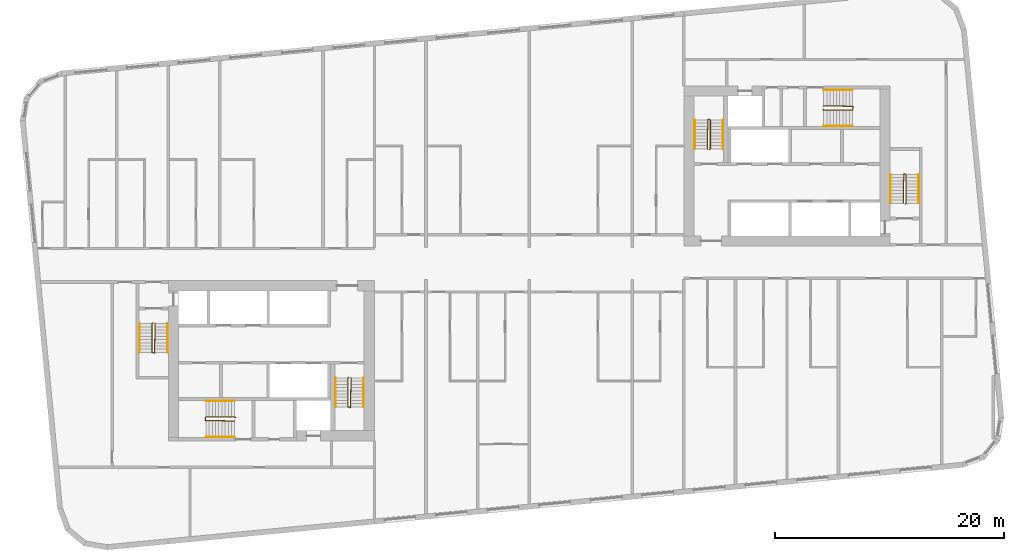
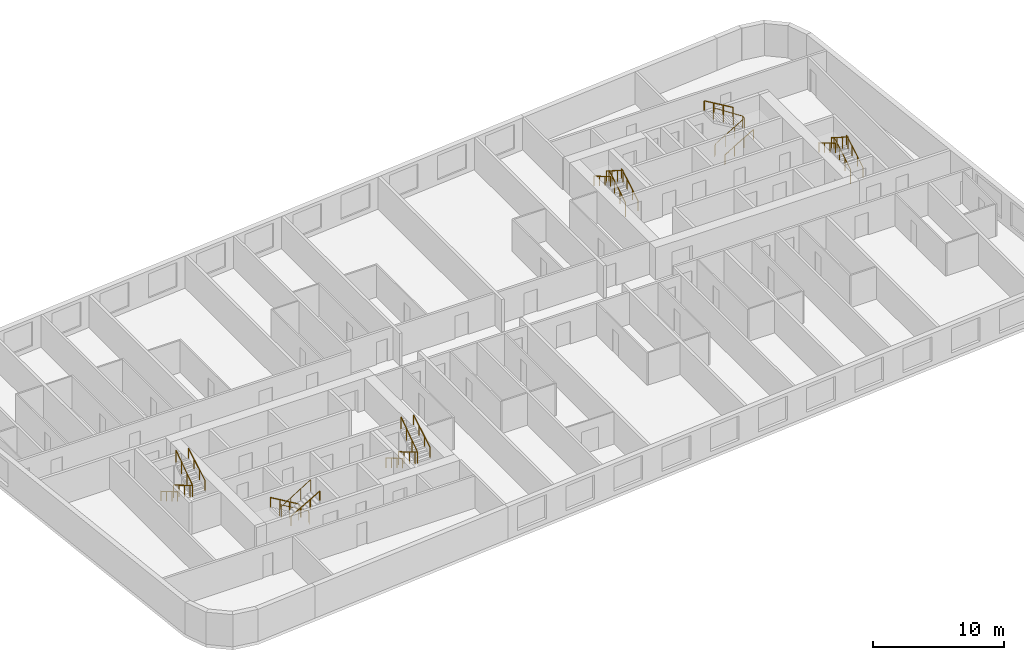
# One storey, part 12 of 12: 18 railings.
"""IFC4 building model written with IfcOpenShell, lengths in metres."""

from ifc_helpers import new_model, si_unit, direction, frame, origin, origin_2d, place, context, subcontext, project, spatial, circle, extrude, material, type_object, element, save


model = new_model("IFC4")

# Units and contexts
model_context = context("Model", 3, precision=1e-05, world=origin(), true_north=direction((0.0, 1.0)))
body_context = subcontext(model_context, "Body", "Model", "MODEL_VIEW")
ifc_project = project(units=[si_unit("LENGTHUNIT", "METRE"), si_unit("AREAUNIT", "SQUARE_METRE"), si_unit("VOLUMEUNIT", "CUBIC_METRE"), si_unit("PLANEANGLEUNIT", "RADIAN"), si_unit("MASSUNIT", "GRAM", prefix="KILO")], contexts=[model_context])

# Site, building, storey
site_placement = place(None, origin())
site = spatial("IfcSite", under=ifc_project, at=site_placement, CompositionType="ELEMENT")
building_placement = place(site_placement, origin())
building = spatial("IfcBuilding", under=site, at=building_placement, Name="Kajstack Hotel Tower", CompositionType="ELEMENT")
storey_placement = place(building_placement, frame((0.0, 0.0, 203.199951171875)))
storey = spatial("IfcBuildingStorey", under=building, at=storey_placement, Name="L49", CompositionType="ELEMENT", Elevation=203.199951171875)

# Railings
ifc_material = material(Name="Steel S355J2", Category="steel")
railing_type_1 = type_object("IfcRailingType", Name="Stair guard 1100", PredefinedType="GUARDRAIL", material=ifc_material)
railing_1_placement = place(storey_placement, frame((-32.85009765625, -5.199951171875, 0.0)))
element("IfcRailing", 1, at=railing_1_placement, inside=storey, type_object=railing_type_1, Name="L49 W1 stair guard 1", PredefinedType="GUARDRAIL", context=body_context, shape_type="SweptSolid", body=[
    extrude(circle(Radius=0.02392578125, at=origin_2d()), frame((0.0, 0.0, 1.076171875), z_axis=(-0.277450376394, -0.278810427259, 0.919394384522), x_axis=(0.708833529934, -0.705375805398, 0.0)), (0.0, 0.0, 1.0), 0.179443359375),
    extrude(circle(Radius=0.02392578125, at=origin_2d()), frame((-0.0498046875, -0.050048828125, 1.2412109375), z_axis=(0.0, -0.86152411907, 0.507716645641), x_axis=(1.0, 0.0, 0.0)), (0.0, 0.0, 1.0), 2.925048828125),
    extrude(circle(Radius=0.02392578125, at=origin_2d()), frame((-0.0498046875, -2.570068359375, 2.72607421875), z_axis=(0.970072785993, -0.242814311512, 0.0), x_axis=(0.242814311512, 0.970072785993, 0.0)), (0.0, 0.0, 1.0), 0.2060546875),
    extrude(circle(Radius=0.02392578125, at=origin_2d()), frame((0.150146484375, -2.6201171875, 2.72607421875), z_axis=(0.016385308676, 0.841405582595, 0.540155687962), x_axis=(-0.999810440751, 0.019470042781, 0.0)), (0.0, 0.0, 1.0), 3.054443359375),
    extrude(circle(Radius=0.02099609375, at=origin_2d()), origin(), (0.0, 0.0, 1.0), 1.052001953125),
    extrude(circle(Radius=0.02099609375, at=origin_2d()), frame((-0.0498046875, -0.050048828125, 0.1650390625)), (0.0, 0.0, 1.0), 1.052001953125),
    extrude(circle(Radius=0.02099609375, at=origin_2d()), frame((-0.0498046875, -0.89013671875, 0.66015625)), (0.0, 0.0, 1.0), 1.052001953125),
    extrude(circle(Radius=0.02099609375, at=origin_2d()), frame((-0.0498046875, -1.72998046875, 1.155029296875)), (0.0, 0.0, 1.0), 1.052001953125),
    extrude(circle(Radius=0.02099609375, at=origin_2d()), frame((-0.0498046875, -2.570068359375, 1.650146484375)), (0.0, 0.0, 1.0), 1.052001953125),
    extrude(circle(Radius=0.02099609375, at=origin_2d()), frame((0.150146484375, -2.6201171875, 1.650146484375)), (0.0, 0.0, 1.0), 1.052001953125),
    extrude(circle(Radius=0.02099609375, at=origin_2d()), frame((0.166748046875, -1.763427734375, 2.2001953125)), (0.0, 0.0, 1.0), 1.052001953125),
    extrude(circle(Radius=0.02099609375, at=origin_2d()), frame((0.18359375, -0.90673828125, 2.75)), (0.0, 0.0, 1.0), 1.052001953125),
    extrude(circle(Radius=0.02099609375, at=origin_2d()), frame((0.2001953125, -0.050048828125, 3.300048828125)), (0.0, 0.0, 1.0), 1.052001953125),
])
railing_2_placement = place(storey_placement, frame((-15.75, -9.949951171875, 0.0)))
element("IfcRailing", 2, at=railing_2_placement, inside=storey, type_object=railing_type_1, Name="L49 W2 stair guard 1", PredefinedType="GUARDRAIL", context=body_context, shape_type="SweptSolid", body=[
    extrude(circle(Radius=0.02392578125, at=origin_2d()), frame((0.0, 0.0, 1.076171875), z_axis=(-0.278705021027, -0.278705021027, 0.919046801044), x_axis=(0.707106781187, -0.707106781187, 0.0)), (0.0, 0.0, 1.0), 0.1796875),
    extrude(circle(Radius=0.02392578125, at=origin_2d()), frame((-0.050048828125, -0.050048828125, 1.2412109375), z_axis=(0.0, -0.86152411907, 0.507716645641), x_axis=(1.0, 0.0, 0.0)), (0.0, 0.0, 1.0), 2.925048828125),
    extrude(circle(Radius=0.02392578125, at=origin_2d()), frame((-0.050048828125, -2.570068359375, 2.72607421875), z_axis=(0.970072785993, -0.242814311512, 0.0), x_axis=(0.242814311512, 0.970072785993, 0.0)), (0.0, 0.0, 1.0), 0.2060546875),
    extrude(circle(Radius=0.02392578125, at=origin_2d()), frame((0.14990234375, -2.6201171875, 2.72607421875), z_axis=(0.016385308676, 0.841405582595, 0.540155687962), x_axis=(-0.999810440751, 0.019470042781, 0.0)), (0.0, 0.0, 1.0), 3.054443359375),
    extrude(circle(Radius=0.02099609375, at=origin_2d()), origin(), (0.0, 0.0, 1.0), 1.052001953125),
    extrude(circle(Radius=0.02099609375, at=origin_2d()), frame((-0.050048828125, -0.050048828125, 0.1650390625)), (0.0, 0.0, 1.0), 1.052001953125),
    extrude(circle(Radius=0.02099609375, at=origin_2d()), frame((-0.050048828125, -0.89013671875, 0.66015625)), (0.0, 0.0, 1.0), 1.052001953125),
    extrude(circle(Radius=0.02099609375, at=origin_2d()), frame((-0.050048828125, -1.72998046875, 1.155029296875)), (0.0, 0.0, 1.0), 1.052001953125),
    extrude(circle(Radius=0.02099609375, at=origin_2d()), frame((-0.050048828125, -2.570068359375, 1.650146484375)), (0.0, 0.0, 1.0), 1.052001953125),
    extrude(circle(Radius=0.02099609375, at=origin_2d()), frame((0.14990234375, -2.6201171875, 1.650146484375)), (0.0, 0.0, 1.0), 1.052001953125),
    extrude(circle(Radius=0.02099609375, at=origin_2d()), frame((0.16650390625, -1.763427734375, 2.2001953125)), (0.0, 0.0, 1.0), 1.052001953125),
    extrude(circle(Radius=0.02099609375, at=origin_2d()), frame((0.183349609375, -0.90673828125, 2.75)), (0.0, 0.0, 1.0), 1.052001953125),
    extrude(circle(Radius=0.02099609375, at=origin_2d()), frame((0.199951171875, -0.050048828125, 3.300048828125)), (0.0, 0.0, 1.0), 1.052001953125),
])
railing_3_placement = place(storey_placement, frame((-25.64990234375, -13.449951171875, 0.0)))
element("IfcRailing", 3, at=railing_3_placement, inside=storey, type_object=railing_type_1, Name="L49 W3 stair guard 1", PredefinedType="GUARDRAIL", context=body_context, shape_type="SweptSolid", body=[
    extrude(circle(Radius=0.02392578125, at=origin_2d()), frame((0.0, 0.0, 1.076171875), z_axis=(-0.278705021027, 0.278705021027, 0.919046801044), x_axis=(-0.707106781187, -0.707106781187, 0.0)), (0.0, 0.0, 1.0), 0.1796875),
    extrude(circle(Radius=0.02392578125, at=origin_2d()), frame((-0.050048828125, 0.050048828125, 1.2412109375), z_axis=(-0.86152411907, 0.0, 0.507716645641), x_axis=(0.0, -1.0, 0.0)), (0.0, 0.0, 1.0), 2.925048828125),
    extrude(circle(Radius=0.02392578125, at=origin_2d()), frame((-2.570068359375, 0.050048828125, 2.72607421875), z_axis=(-0.164529134168, -0.986372223864, 0.0), x_axis=(0.986372223864, -0.164529134168, 0.0)), (0.0, 0.0, 1.0), 0.30419921875),
    extrude(circle(Radius=0.02392578125, at=origin_2d()), frame((-2.6201171875, -0.25, 2.72607421875), z_axis=(0.841405582595, -0.016385308676, 0.540155687962), x_axis=(0.019470042781, 0.999810440751, 0.0)), (0.0, 0.0, 1.0), 3.054443359375),
    extrude(circle(Radius=0.02099609375, at=origin_2d()), origin(), (0.0, 0.0, 1.0), 1.052001953125),
    extrude(circle(Radius=0.02099609375, at=origin_2d()), frame((-0.050048828125, 0.050048828125, 0.1650390625)), (0.0, 0.0, 1.0), 1.052001953125),
    extrude(circle(Radius=0.02099609375, at=origin_2d()), frame((-0.89013671875, 0.050048828125, 0.66015625)), (0.0, 0.0, 1.0), 1.052001953125),
    extrude(circle(Radius=0.02099609375, at=origin_2d()), frame((-1.72998046875, 0.050048828125, 1.155029296875)), (0.0, 0.0, 1.0), 1.052001953125),
    extrude(circle(Radius=0.02099609375, at=origin_2d()), frame((-2.570068359375, 0.050048828125, 1.650146484375)), (0.0, 0.0, 1.0), 1.052001953125),
    extrude(circle(Radius=0.02099609375, at=origin_2d()), frame((-2.6201171875, -0.25, 1.650146484375)), (0.0, 0.0, 1.0), 1.052001953125),
    extrude(circle(Radius=0.02099609375, at=origin_2d()), frame((-1.763427734375, -0.2666015625, 2.2001953125)), (0.0, 0.0, 1.0), 1.052001953125),
    extrude(circle(Radius=0.02099609375, at=origin_2d()), frame((-0.90673828125, -0.283447265625, 2.75)), (0.0, 0.0, 1.0), 1.052001953125),
    extrude(circle(Radius=0.02099609375, at=origin_2d()), frame((-0.050048828125, -0.300048828125, 3.300048828125)), (0.0, 0.0, 1.0), 1.052001953125),
])
railing_4_placement = place(storey_placement, frame((32.85009765625, 5.199951171875, 0.0)))
element("IfcRailing", 4, at=railing_4_placement, inside=storey, type_object=railing_type_1, Name="L49 E1 stair guard 1", PredefinedType="GUARDRAIL", context=body_context, shape_type="SweptSolid", body=[
    extrude(circle(Radius=0.02392578125, at=origin_2d()), frame((0.0, 0.0, 1.076171875), z_axis=(0.277450376394, 0.278810427259, 0.919394384522), x_axis=(-0.708833529934, 0.705375805398, 0.0)), (0.0, 0.0, 1.0), 0.179443359375),
    extrude(circle(Radius=0.02392578125, at=origin_2d()), frame((0.0498046875, 0.050048828125, 1.2412109375), z_axis=(0.0, 0.86152411907, 0.507716645641), x_axis=(-1.0, 0.0, 0.0)), (0.0, 0.0, 1.0), 2.925048828125),
    extrude(circle(Radius=0.02392578125, at=origin_2d()), frame((0.0498046875, 2.570068359375, 2.72607421875), z_axis=(-0.970072785993, 0.242814311512, 0.0), x_axis=(-0.242814311512, -0.970072785993, 0.0)), (0.0, 0.0, 1.0), 0.2060546875),
    extrude(circle(Radius=0.02392578125, at=origin_2d()), frame((-0.150146484375, 2.6201171875, 2.72607421875), z_axis=(-0.016385308676, -0.841405582595, 0.540155687962), x_axis=(0.999810440751, -0.019470042781, 0.0)), (0.0, 0.0, 1.0), 3.054443359375),
    extrude(circle(Radius=0.02099609375, at=origin_2d()), origin(), (0.0, 0.0, 1.0), 1.052001953125),
    extrude(circle(Radius=0.02099609375, at=origin_2d()), frame((0.0498046875, 0.050048828125, 0.1650390625)), (0.0, 0.0, 1.0), 1.052001953125),
    extrude(circle(Radius=0.02099609375, at=origin_2d()), frame((0.0498046875, 0.89013671875, 0.66015625)), (0.0, 0.0, 1.0), 1.052001953125),
    extrude(circle(Radius=0.02099609375, at=origin_2d()), frame((0.0498046875, 1.72998046875, 1.155029296875)), (0.0, 0.0, 1.0), 1.052001953125),
    extrude(circle(Radius=0.02099609375, at=origin_2d()), frame((0.0498046875, 2.570068359375, 1.650146484375)), (0.0, 0.0, 1.0), 1.052001953125),
    extrude(circle(Radius=0.02099609375, at=origin_2d()), frame((-0.150146484375, 2.6201171875, 1.650146484375)), (0.0, 0.0, 1.0), 1.052001953125),
    extrude(circle(Radius=0.02099609375, at=origin_2d()), frame((-0.166748046875, 1.763427734375, 2.2001953125)), (0.0, 0.0, 1.0), 1.052001953125),
    extrude(circle(Radius=0.02099609375, at=origin_2d()), frame((-0.18359375, 0.90673828125, 2.75)), (0.0, 0.0, 1.0), 1.052001953125),
    extrude(circle(Radius=0.02099609375, at=origin_2d()), frame((-0.2001953125, 0.050048828125, 3.300048828125)), (0.0, 0.0, 1.0), 1.052001953125),
])
railing_5_placement = place(storey_placement, frame((15.75, 9.949951171875, 0.0)))
element("IfcRailing", 5, at=railing_5_placement, inside=storey, type_object=railing_type_1, Name="L49 E2 stair guard 1", PredefinedType="GUARDRAIL", context=body_context, shape_type="SweptSolid", body=[
    extrude(circle(Radius=0.02392578125, at=origin_2d()), frame((0.0, 0.0, 1.076171875), z_axis=(0.278705021027, 0.278705021027, 0.919046801044), x_axis=(-0.707106781187, 0.707106781187, 0.0)), (0.0, 0.0, 1.0), 0.1796875),
    extrude(circle(Radius=0.02392578125, at=origin_2d()), frame((0.050048828125, 0.050048828125, 1.2412109375), z_axis=(0.0, 0.86152411907, 0.507716645641), x_axis=(-1.0, 0.0, 0.0)), (0.0, 0.0, 1.0), 2.925048828125),
    extrude(circle(Radius=0.02392578125, at=origin_2d()), frame((0.050048828125, 2.570068359375, 2.72607421875), z_axis=(-0.970072785993, 0.242814311512, 0.0), x_axis=(-0.242814311512, -0.970072785993, 0.0)), (0.0, 0.0, 1.0), 0.2060546875),
    extrude(circle(Radius=0.02392578125, at=origin_2d()), frame((-0.14990234375, 2.6201171875, 2.72607421875), z_axis=(-0.016385308676, -0.841405582595, 0.540155687962), x_axis=(0.999810440751, -0.019470042781, 0.0)), (0.0, 0.0, 1.0), 3.054443359375),
    extrude(circle(Radius=0.02099609375, at=origin_2d()), origin(), (0.0, 0.0, 1.0), 1.052001953125),
    extrude(circle(Radius=0.02099609375, at=origin_2d()), frame((0.050048828125, 0.050048828125, 0.1650390625)), (0.0, 0.0, 1.0), 1.052001953125),
    extrude(circle(Radius=0.02099609375, at=origin_2d()), frame((0.050048828125, 0.89013671875, 0.66015625)), (0.0, 0.0, 1.0), 1.052001953125),
    extrude(circle(Radius=0.02099609375, at=origin_2d()), frame((0.050048828125, 1.72998046875, 1.155029296875)), (0.0, 0.0, 1.0), 1.052001953125),
    extrude(circle(Radius=0.02099609375, at=origin_2d()), frame((0.050048828125, 2.570068359375, 1.650146484375)), (0.0, 0.0, 1.0), 1.052001953125),
    extrude(circle(Radius=0.02099609375, at=origin_2d()), frame((-0.14990234375, 2.6201171875, 1.650146484375)), (0.0, 0.0, 1.0), 1.052001953125),
    extrude(circle(Radius=0.02099609375, at=origin_2d()), frame((-0.16650390625, 1.763427734375, 2.2001953125)), (0.0, 0.0, 1.0), 1.052001953125),
    extrude(circle(Radius=0.02099609375, at=origin_2d()), frame((-0.183349609375, 0.90673828125, 2.75)), (0.0, 0.0, 1.0), 1.052001953125),
    extrude(circle(Radius=0.02099609375, at=origin_2d()), frame((-0.199951171875, 0.050048828125, 3.300048828125)), (0.0, 0.0, 1.0), 1.052001953125),
])
railing_6_placement = place(storey_placement, frame((25.64990234375, 13.449951171875, 0.0)))
element("IfcRailing", 6, at=railing_6_placement, inside=storey, type_object=railing_type_1, Name="L49 E3 stair guard 1", PredefinedType="GUARDRAIL", context=body_context, shape_type="SweptSolid", body=[
    extrude(circle(Radius=0.02392578125, at=origin_2d()), frame((0.0, 0.0, 1.076171875), z_axis=(0.278705021027, -0.278705021027, 0.919046801044), x_axis=(0.707106781187, 0.707106781187, 0.0)), (0.0, 0.0, 1.0), 0.1796875),
    extrude(circle(Radius=0.02392578125, at=origin_2d()), frame((0.050048828125, -0.050048828125, 1.2412109375), z_axis=(0.86152411907, 0.0, 0.507716645641), x_axis=(0.0, 1.0, 0.0)), (0.0, 0.0, 1.0), 2.925048828125),
    extrude(circle(Radius=0.02392578125, at=origin_2d()), frame((2.570068359375, -0.050048828125, 2.72607421875), z_axis=(0.164529134168, 0.986372223864, 0.0), x_axis=(-0.986372223864, 0.164529134168, 0.0)), (0.0, 0.0, 1.0), 0.30419921875),
    extrude(circle(Radius=0.02392578125, at=origin_2d()), frame((2.6201171875, 0.25, 2.72607421875), z_axis=(-0.841405582595, 0.016385308676, 0.540155687962), x_axis=(-0.019470042781, -0.999810440751, 0.0)), (0.0, 0.0, 1.0), 3.054443359375),
    extrude(circle(Radius=0.02099609375, at=origin_2d()), origin(), (0.0, 0.0, 1.0), 1.052001953125),
    extrude(circle(Radius=0.02099609375, at=origin_2d()), frame((0.050048828125, -0.050048828125, 0.1650390625)), (0.0, 0.0, 1.0), 1.052001953125),
    extrude(circle(Radius=0.02099609375, at=origin_2d()), frame((0.89013671875, -0.050048828125, 0.66015625)), (0.0, 0.0, 1.0), 1.052001953125),
    extrude(circle(Radius=0.02099609375, at=origin_2d()), frame((1.72998046875, -0.050048828125, 1.155029296875)), (0.0, 0.0, 1.0), 1.052001953125),
    extrude(circle(Radius=0.02099609375, at=origin_2d()), frame((2.570068359375, -0.050048828125, 1.650146484375)), (0.0, 0.0, 1.0), 1.052001953125),
    extrude(circle(Radius=0.02099609375, at=origin_2d()), frame((2.6201171875, 0.25, 1.650146484375)), (0.0, 0.0, 1.0), 1.052001953125),
    extrude(circle(Radius=0.02099609375, at=origin_2d()), frame((1.763427734375, 0.2666015625, 2.2001953125)), (0.0, 0.0, 1.0), 1.052001953125),
    extrude(circle(Radius=0.02099609375, at=origin_2d()), frame((0.90673828125, 0.283447265625, 2.75)), (0.0, 0.0, 1.0), 1.052001953125),
    extrude(circle(Radius=0.02099609375, at=origin_2d()), frame((0.050048828125, 0.300048828125, 3.300048828125)), (0.0, 0.0, 1.0), 1.052001953125),
])
railing_type_2 = type_object("IfcRailingType", Name="Stair handrail 900", PredefinedType="HANDRAIL", material=ifc_material)
railing_7_placement = place(storey_placement, frame((-34.0, -5.25, 0.1650390625)))
element("IfcRailing", 7, at=railing_7_placement, inside=storey, type_object=railing_type_2, Name="L49 W1 stair handrail 1", PredefinedType="HANDRAIL", context=body_context, shape_type="SweptSolid", body=[
    extrude(circle(Radius=0.02392578125, at=origin_2d()), frame((0.0, 0.0, 0.8759765625), z_axis=(0.0, -0.86152411907, 0.507716645641), x_axis=(1.0, 0.0, 0.0)), (0.0, 0.0, 1.0), 2.925048828125),
    extrude(circle(Radius=0.02099609375, at=origin_2d()), origin(), (0.0, 0.0, 1.0), 0.851806640625),
    extrude(circle(Radius=0.02099609375, at=origin_2d()), frame((0.0, -0.840087890625, 0.4951171875)), (0.0, 0.0, 1.0), 0.851806640625),
    extrude(circle(Radius=0.02099609375, at=origin_2d()), frame((0.0, -1.679931640625, 0.989990234375)), (0.0, 0.0, 1.0), 0.851806640625),
    extrude(circle(Radius=0.02099609375, at=origin_2d()), frame((0.0, -2.52001953125, 1.485107421875)), (0.0, 0.0, 1.0), 0.851806640625),
])
railing_8_placement = place(storey_placement, frame((-31.550048828125, -7.77001953125, 1.81494140625)))
element("IfcRailing", 8, at=railing_8_placement, inside=storey, type_object=railing_type_2, Name="L49 W1 stair handrail 2", PredefinedType="HANDRAIL", context=body_context, shape_type="SweptSolid", body=[
    extrude(circle(Radius=0.02392578125, at=origin_2d()), frame((0.0, 0.0, 0.8759765625), z_axis=(0.0, 0.86152411907, 0.507716645641), x_axis=(-1.0, 0.0, 0.0)), (0.0, 0.0, 1.0), 2.925048828125),
    extrude(circle(Radius=0.02099609375, at=origin_2d()), origin(), (0.0, 0.0, 1.0), 0.851806640625),
    extrude(circle(Radius=0.02099609375, at=origin_2d()), frame((0.0, 0.840087890625, 0.4951171875)), (0.0, 0.0, 1.0), 0.851806640625),
    extrude(circle(Radius=0.02099609375, at=origin_2d()), frame((0.0, 1.679931640625, 0.989990234375)), (0.0, 0.0, 1.0), 0.851806640625),
    extrude(circle(Radius=0.02099609375, at=origin_2d()), frame((0.0, 2.52001953125, 1.485107421875)), (0.0, 0.0, 1.0), 0.851806640625),
])
railing_9_placement = place(storey_placement, frame((-16.89990234375, -10.0, 0.1650390625)))
element("IfcRailing", 9, at=railing_9_placement, inside=storey, type_object=railing_type_2, Name="L49 W2 stair handrail 1", PredefinedType="HANDRAIL", context=body_context, shape_type="SweptSolid", body=[
    extrude(circle(Radius=0.02392578125, at=origin_2d()), frame((0.0, 0.0, 0.8759765625), z_axis=(0.0, -0.86152411907, 0.507716645641), x_axis=(1.0, 0.0, 0.0)), (0.0, 0.0, 1.0), 2.925048828125),
    extrude(circle(Radius=0.02099609375, at=origin_2d()), origin(), (0.0, 0.0, 1.0), 0.851806640625),
    extrude(circle(Radius=0.02099609375, at=origin_2d()), frame((0.0, -0.840087890625, 0.4951171875)), (0.0, 0.0, 1.0), 0.851806640625),
    extrude(circle(Radius=0.02099609375, at=origin_2d()), frame((0.0, -1.679931640625, 0.989990234375)), (0.0, 0.0, 1.0), 0.851806640625),
    extrude(circle(Radius=0.02099609375, at=origin_2d()), frame((0.0, -2.52001953125, 1.485107421875)), (0.0, 0.0, 1.0), 0.851806640625),
])
railing_10_placement = place(storey_placement, frame((-14.449951171875, -12.52001953125, 1.81494140625)))
element("IfcRailing", 10, at=railing_10_placement, inside=storey, type_object=railing_type_2, Name="L49 W2 stair handrail 2", PredefinedType="HANDRAIL", context=body_context, shape_type="SweptSolid", body=[
    extrude(circle(Radius=0.02392578125, at=origin_2d()), frame((0.0, 0.0, 0.8759765625), z_axis=(0.0, 0.86152411907, 0.507716645641), x_axis=(-1.0, 0.0, 0.0)), (0.0, 0.0, 1.0), 2.925048828125),
    extrude(circle(Radius=0.02099609375, at=origin_2d()), origin(), (0.0, 0.0, 1.0), 0.851806640625),
    extrude(circle(Radius=0.02099609375, at=origin_2d()), frame((0.0, 0.840087890625, 0.4951171875)), (0.0, 0.0, 1.0), 0.851806640625),
    extrude(circle(Radius=0.02099609375, at=origin_2d()), frame((0.0, 1.679931640625, 0.989990234375)), (0.0, 0.0, 1.0), 0.851806640625),
    extrude(circle(Radius=0.02099609375, at=origin_2d()), frame((0.0, 2.52001953125, 1.485107421875)), (0.0, 0.0, 1.0), 0.851806640625),
])
railing_11_placement = place(storey_placement, frame((-25.699951171875, -12.0, 0.1650390625)))
element("IfcRailing", 11, at=railing_11_placement, inside=storey, type_object=railing_type_2, Name="L49 W3 stair handrail 1", PredefinedType="HANDRAIL", context=body_context, shape_type="SweptSolid", body=[
    extrude(circle(Radius=0.02392578125, at=origin_2d()), frame((0.0, 0.0, 0.8759765625), z_axis=(-0.86152411907, 0.0, 0.507716645641), x_axis=(0.0, -1.0, 0.0)), (0.0, 0.0, 1.0), 2.925048828125),
    extrude(circle(Radius=0.02099609375, at=origin_2d()), origin(), (0.0, 0.0, 1.0), 0.851806640625),
    extrude(circle(Radius=0.02099609375, at=origin_2d()), frame((-0.840087890625, 0.0, 0.4951171875)), (0.0, 0.0, 1.0), 0.851806640625),
    extrude(circle(Radius=0.02099609375, at=origin_2d()), frame((-1.679931640625, 0.0, 0.989990234375)), (0.0, 0.0, 1.0), 0.851806640625),
    extrude(circle(Radius=0.02099609375, at=origin_2d()), frame((-2.52001953125, 0.0, 1.485107421875)), (0.0, 0.0, 1.0), 0.851806640625),
])
railing_12_placement = place(storey_placement, frame((-28.219970703125, -15.14990234375, 1.81494140625)))
element("IfcRailing", 12, at=railing_12_placement, inside=storey, type_object=railing_type_2, Name="L49 W3 stair handrail 2", PredefinedType="HANDRAIL", context=body_context, shape_type="SweptSolid", body=[
    extrude(circle(Radius=0.02392578125, at=origin_2d()), frame((0.0, 0.0, 0.8759765625), z_axis=(0.86152411907, 0.0, 0.507716645641), x_axis=(0.0, 1.0, 0.0)), (0.0, 0.0, 1.0), 2.925048828125),
    extrude(circle(Radius=0.02099609375, at=origin_2d()), origin(), (0.0, 0.0, 1.0), 0.851806640625),
    extrude(circle(Radius=0.02099609375, at=origin_2d()), frame((0.840087890625, 0.0, 0.4951171875)), (0.0, 0.0, 1.0), 0.851806640625),
    extrude(circle(Radius=0.02099609375, at=origin_2d()), frame((1.679931640625, 0.0, 0.989990234375)), (0.0, 0.0, 1.0), 0.851806640625),
    extrude(circle(Radius=0.02099609375, at=origin_2d()), frame((2.52001953125, 0.0, 1.485107421875)), (0.0, 0.0, 1.0), 0.851806640625),
])
railing_13_placement = place(storey_placement, frame((34.0, 5.25, 0.1650390625)))
element("IfcRailing", 13, at=railing_13_placement, inside=storey, type_object=railing_type_2, Name="L49 E1 stair handrail 1", PredefinedType="HANDRAIL", context=body_context, shape_type="SweptSolid", body=[
    extrude(circle(Radius=0.02392578125, at=origin_2d()), frame((0.0, 0.0, 0.8759765625), z_axis=(0.0, 0.86152411907, 0.507716645641), x_axis=(-1.0, 0.0, 0.0)), (0.0, 0.0, 1.0), 2.925048828125),
    extrude(circle(Radius=0.02099609375, at=origin_2d()), origin(), (0.0, 0.0, 1.0), 0.851806640625),
    extrude(circle(Radius=0.02099609375, at=origin_2d()), frame((0.0, 0.840087890625, 0.4951171875)), (0.0, 0.0, 1.0), 0.851806640625),
    extrude(circle(Radius=0.02099609375, at=origin_2d()), frame((0.0, 1.679931640625, 0.989990234375)), (0.0, 0.0, 1.0), 0.851806640625),
    extrude(circle(Radius=0.02099609375, at=origin_2d()), frame((0.0, 2.52001953125, 1.485107421875)), (0.0, 0.0, 1.0), 0.851806640625),
])
railing_14_placement = place(storey_placement, frame((31.550048828125, 7.77001953125, 1.81494140625)))
element("IfcRailing", 14, at=railing_14_placement, inside=storey, type_object=railing_type_2, Name="L49 E1 stair handrail 2", PredefinedType="HANDRAIL", context=body_context, shape_type="SweptSolid", body=[
    extrude(circle(Radius=0.02392578125, at=origin_2d()), frame((0.0, 0.0, 0.8759765625), z_axis=(0.0, -0.86152411907, 0.507716645641), x_axis=(1.0, 0.0, 0.0)), (0.0, 0.0, 1.0), 2.925048828125),
    extrude(circle(Radius=0.02099609375, at=origin_2d()), origin(), (0.0, 0.0, 1.0), 0.851806640625),
    extrude(circle(Radius=0.02099609375, at=origin_2d()), frame((0.0, -0.840087890625, 0.4951171875)), (0.0, 0.0, 1.0), 0.851806640625),
    extrude(circle(Radius=0.02099609375, at=origin_2d()), frame((0.0, -1.679931640625, 0.989990234375)), (0.0, 0.0, 1.0), 0.851806640625),
    extrude(circle(Radius=0.02099609375, at=origin_2d()), frame((0.0, -2.52001953125, 1.485107421875)), (0.0, 0.0, 1.0), 0.851806640625),
])
railing_15_placement = place(storey_placement, frame((16.89990234375, 10.0, 0.1650390625)))
element("IfcRailing", 15, at=railing_15_placement, inside=storey, type_object=railing_type_2, Name="L49 E2 stair handrail 1", PredefinedType="HANDRAIL", context=body_context, shape_type="SweptSolid", body=[
    extrude(circle(Radius=0.02392578125, at=origin_2d()), frame((0.0, 0.0, 0.8759765625), z_axis=(0.0, 0.86152411907, 0.507716645641), x_axis=(-1.0, 0.0, 0.0)), (0.0, 0.0, 1.0), 2.925048828125),
    extrude(circle(Radius=0.02099609375, at=origin_2d()), origin(), (0.0, 0.0, 1.0), 0.851806640625),
    extrude(circle(Radius=0.02099609375, at=origin_2d()), frame((0.0, 0.840087890625, 0.4951171875)), (0.0, 0.0, 1.0), 0.851806640625),
    extrude(circle(Radius=0.02099609375, at=origin_2d()), frame((0.0, 1.679931640625, 0.989990234375)), (0.0, 0.0, 1.0), 0.851806640625),
    extrude(circle(Radius=0.02099609375, at=origin_2d()), frame((0.0, 2.52001953125, 1.485107421875)), (0.0, 0.0, 1.0), 0.851806640625),
])
railing_16_placement = place(storey_placement, frame((14.449951171875, 12.52001953125, 1.81494140625)))
element("IfcRailing", 16, at=railing_16_placement, inside=storey, type_object=railing_type_2, Name="L49 E2 stair handrail 2", PredefinedType="HANDRAIL", context=body_context, shape_type="SweptSolid", body=[
    extrude(circle(Radius=0.02392578125, at=origin_2d()), frame((0.0, 0.0, 0.8759765625), z_axis=(0.0, -0.86152411907, 0.507716645641), x_axis=(1.0, 0.0, 0.0)), (0.0, 0.0, 1.0), 2.925048828125),
    extrude(circle(Radius=0.02099609375, at=origin_2d()), origin(), (0.0, 0.0, 1.0), 0.851806640625),
    extrude(circle(Radius=0.02099609375, at=origin_2d()), frame((0.0, -0.840087890625, 0.4951171875)), (0.0, 0.0, 1.0), 0.851806640625),
    extrude(circle(Radius=0.02099609375, at=origin_2d()), frame((0.0, -1.679931640625, 0.989990234375)), (0.0, 0.0, 1.0), 0.851806640625),
    extrude(circle(Radius=0.02099609375, at=origin_2d()), frame((0.0, -2.52001953125, 1.485107421875)), (0.0, 0.0, 1.0), 0.851806640625),
])
railing_17_placement = place(storey_placement, frame((25.699951171875, 12.0, 0.1650390625)))
element("IfcRailing", 17, at=railing_17_placement, inside=storey, type_object=railing_type_2, Name="L49 E3 stair handrail 1", PredefinedType="HANDRAIL", context=body_context, shape_type="SweptSolid", body=[
    extrude(circle(Radius=0.02392578125, at=origin_2d()), frame((0.0, 0.0, 0.8759765625), z_axis=(0.86152411907, 0.0, 0.507716645641), x_axis=(0.0, 1.0, 0.0)), (0.0, 0.0, 1.0), 2.925048828125),
    extrude(circle(Radius=0.02099609375, at=origin_2d()), origin(), (0.0, 0.0, 1.0), 0.851806640625),
    extrude(circle(Radius=0.02099609375, at=origin_2d()), frame((0.840087890625, 0.0, 0.4951171875)), (0.0, 0.0, 1.0), 0.851806640625),
    extrude(circle(Radius=0.02099609375, at=origin_2d()), frame((1.679931640625, 0.0, 0.989990234375)), (0.0, 0.0, 1.0), 0.851806640625),
    extrude(circle(Radius=0.02099609375, at=origin_2d()), frame((2.52001953125, 0.0, 1.485107421875)), (0.0, 0.0, 1.0), 0.851806640625),
])
railing_18_placement = place(storey_placement, frame((28.219970703125, 15.14990234375, 1.81494140625)))
element("IfcRailing", 18, at=railing_18_placement, inside=storey, type_object=railing_type_2, Name="L49 E3 stair handrail 2", PredefinedType="HANDRAIL", context=body_context, shape_type="SweptSolid", body=[
    extrude(circle(Radius=0.02392578125, at=origin_2d()), frame((0.0, 0.0, 0.8759765625), z_axis=(-0.86152411907, 0.0, 0.507716645641), x_axis=(0.0, -1.0, 0.0)), (0.0, 0.0, 1.0), 2.925048828125),
    extrude(circle(Radius=0.02099609375, at=origin_2d()), origin(), (0.0, 0.0, 1.0), 0.851806640625),
    extrude(circle(Radius=0.02099609375, at=origin_2d()), frame((-0.840087890625, 0.0, 0.4951171875)), (0.0, 0.0, 1.0), 0.851806640625),
    extrude(circle(Radius=0.02099609375, at=origin_2d()), frame((-1.679931640625, 0.0, 0.989990234375)), (0.0, 0.0, 1.0), 0.851806640625),
    extrude(circle(Radius=0.02099609375, at=origin_2d()), frame((-2.52001953125, 0.0, 1.485107421875)), (0.0, 0.0, 1.0), 0.851806640625),
])

save(model, "model.ifc")
